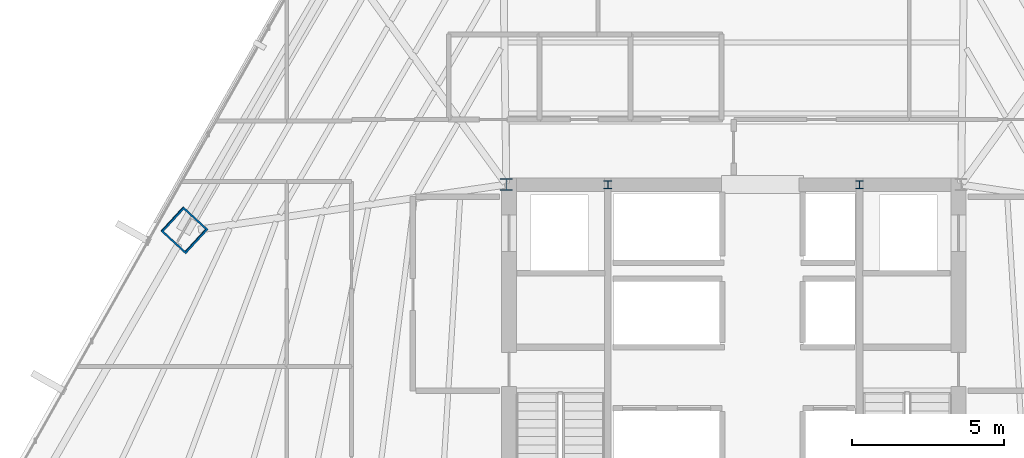
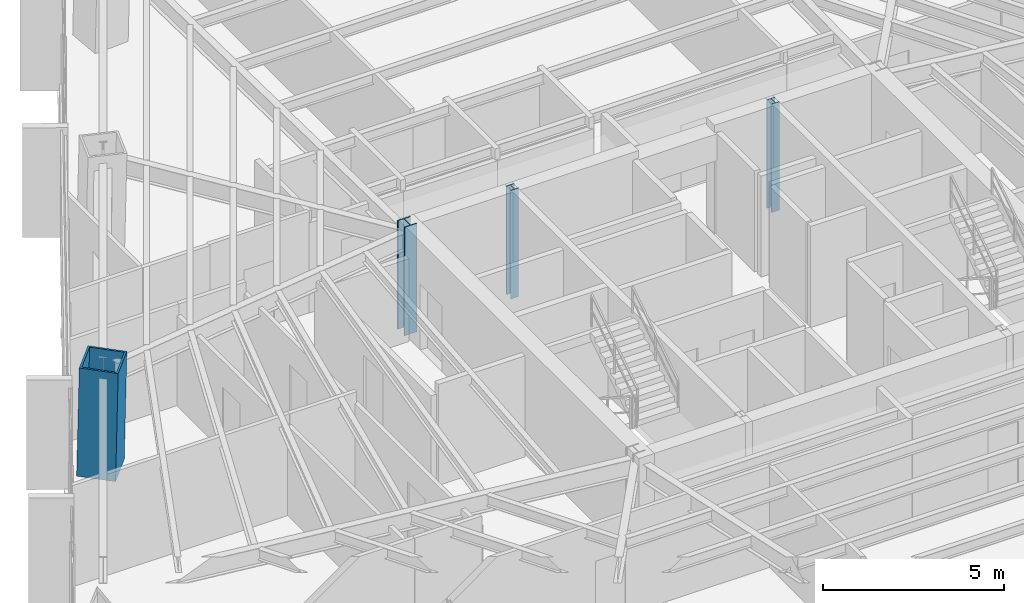
# One storey, part 2 of 35: 4 columns.
"""IFC4 building model written with IfcOpenShell, lengths in metres."""

from ifc_helpers import new_model, si_unit, direction, frame, origin, origin_2d, place, context, subcontext, project, spatial, hollow_rectangle, i_section, extrude, source, transform, mapped, material, material_profile, profile_set, type_object, type_shapes, element, save


model = new_model("IFC4")

# Units and contexts
model_context = context("Model", 3, precision=1e-05, world=origin(), true_north=direction((0.0, 1.0)))
body_context = subcontext(model_context, "Body", "Model", "MODEL_VIEW")
ifc_project = project(units=[si_unit("LENGTHUNIT", "METRE"), si_unit("AREAUNIT", "SQUARE_METRE"), si_unit("VOLUMEUNIT", "CUBIC_METRE"), si_unit("PLANEANGLEUNIT", "RADIAN"), si_unit("MASSUNIT", "GRAM", prefix="KILO")], contexts=[model_context])

# Site, building, storey
site_placement = place(None, origin())
site = spatial("IfcSite", under=ifc_project, at=site_placement, CompositionType="ELEMENT")
building_placement = place(site_placement, origin())
building = spatial("IfcBuilding", under=site, at=building_placement, Name="Caelisora Broadcast Tower", CompositionType="ELEMENT")
storey_placement = place(building_placement, frame((0.0, 0.0, 90.800048828125)))
storey = spatial("IfcBuildingStorey", under=building, at=storey_placement, Name="L23", CompositionType="ELEMENT", Elevation=90.800048828125)

# Columns
ifc_material_1 = material(Name="Steel Grade 350 (AS/NZS 3679.1)", Category="steel")
ifc_material_profile_1 = material_profile(ifc_material_1, i_section(OverallWidth=0.256103515625, OverallDepth=0.260009765625, WebThickness=0.010498046875, FlangeThickness=0.017333984375, at=origin_2d()), Name="Steel Grade 350 (AS/NZS 3679.1)")
ifc_profile_set_1 = profile_set([ifc_material_profile_1], Name="Steel Grade 350 (AS/NZS 3679.1)")
column_type_1 = type_object("IfcColumnType", Name="CC05", PredefinedType="COLUMN", material=ifc_profile_set_1)
shared_shape_1 = source(origin(), body_context, "Body", "SweptSolid", [
    extrude(i_section(OverallWidth=0.256103515625, OverallDepth=0.260009765625, WebThickness=0.010498046875, FlangeThickness=0.017333984375, at=origin_2d()), origin(), (0.0, 0.0, 1.0), 3.64990234375),
])
type_shapes(column_type_1, [shared_shape_1])
for number, where, z_axis, x_axis, name in (
    (1, (33.85009765625, 30.0, 0.0), (0.0, 0.0, 1.0), (1.0, 0.0, 0.0), "L23 column CC05"),
    (2, (42.14990234375, 30.0, 0.0), (0.0, 0.0, 1.0), (1.0, 0.0, 0.0), "L23 column CC05"),
):
    element("IfcColumn", number, at=place(storey_placement, frame(where, z_axis=z_axis, x_axis=x_axis)), inside=storey, type_object=column_type_1, Name=name, PredefinedType="COLUMN", context=body_context, shape_type="MappedRepresentation", body=[
        mapped(shared_shape_1, transform((0.0, 0.0, 0.0), scale=1.0)),
    ])
ifc_material_2 = material(Name="Steel Grade 350 (AS/NZS 3679.2)", Category="steel")
ifc_material_profile_2 = material_profile(ifc_material_2, i_section(OverallWidth=0.39990234375, OverallDepth=0.39990234375, WebThickness=0.02001953125, FlangeThickness=0.031982421875, at=origin_2d()), Name="Steel Grade 350 (AS/NZS 3679.2)")
ifc_profile_set_2 = profile_set([ifc_material_profile_2], Name="Steel Grade 350 (AS/NZS 3679.2)")
column_type_2 = type_object("IfcColumnType", Name="CC02", PredefinedType="COLUMN", material=ifc_profile_set_2)
shared_shape_2 = source(origin(), body_context, "Body", "SweptSolid", [
    extrude(i_section(OverallWidth=0.39990234375, OverallDepth=0.39990234375, WebThickness=0.02001953125, FlangeThickness=0.031982421875, at=origin_2d()), origin(), (0.0, 0.0, 1.0), 3.64990234375),
])
type_shapes(column_type_2, [shared_shape_2])
column_1_placement = place(storey_placement, frame((30.5, 30.0, 0.0), z_axis=(0.0, 0.0, 1.0), x_axis=(1.0, 0.0, 0.0)))
element("IfcColumn", 3, at=column_1_placement, inside=storey, type_object=column_type_2, Name="L23 column CC02", PredefinedType="COLUMN", context=body_context, shape_type="MappedRepresentation", body=[
    mapped(shared_shape_2, transform((0.0, 0.0, 0.0), scale=1.0)),
])
ifc_material_3 = material(Name="Steel Grade 350 L15 (AS/NZS 3678)", Category="steel")
ifc_material_profile_3 = material_profile(ifc_material_3, hollow_rectangle(XDim=1.10009765625, YDim=1.10009765625, WallThickness=0.06005859375, at=origin_2d()), Name="Steel Grade 350 L15 (AS/NZS 3678)")
ifc_profile_set_3 = profile_set([ifc_material_profile_3], Name="Steel Grade 350 L15 (AS/NZS 3678)")
column_type_3 = type_object("IfcColumnType", Name="MC03", PredefinedType="COLUMN", material=ifc_profile_set_3)
shared_shape_3 = source(origin(), body_context, "Body", "SweptSolid", [
    extrude(hollow_rectangle(XDim=1.10009765625, YDim=1.10009765625, WallThickness=0.06005859375, at=origin_2d()), origin(), (0.0, 0.0, 1.0), 3.650634765625),
])
type_shapes(column_type_3, [shared_shape_3])
column_2_placement = place(storey_placement, frame((19.875732421875, 28.50439453125, 0.0), z_axis=(0.014980174271, -0.013776410267, 0.999792881), x_axis=(0.676914144191, 0.736061982033, 0.0)))
element("IfcColumn", 4, at=column_2_placement, inside=storey, type_object=column_type_3, Name="L23 column MC03", PredefinedType="COLUMN", context=body_context, shape_type="MappedRepresentation", body=[
    mapped(shared_shape_3, transform((0.0, 0.0, 0.0), scale=1.0)),
])

save(model, "model.ifc")
